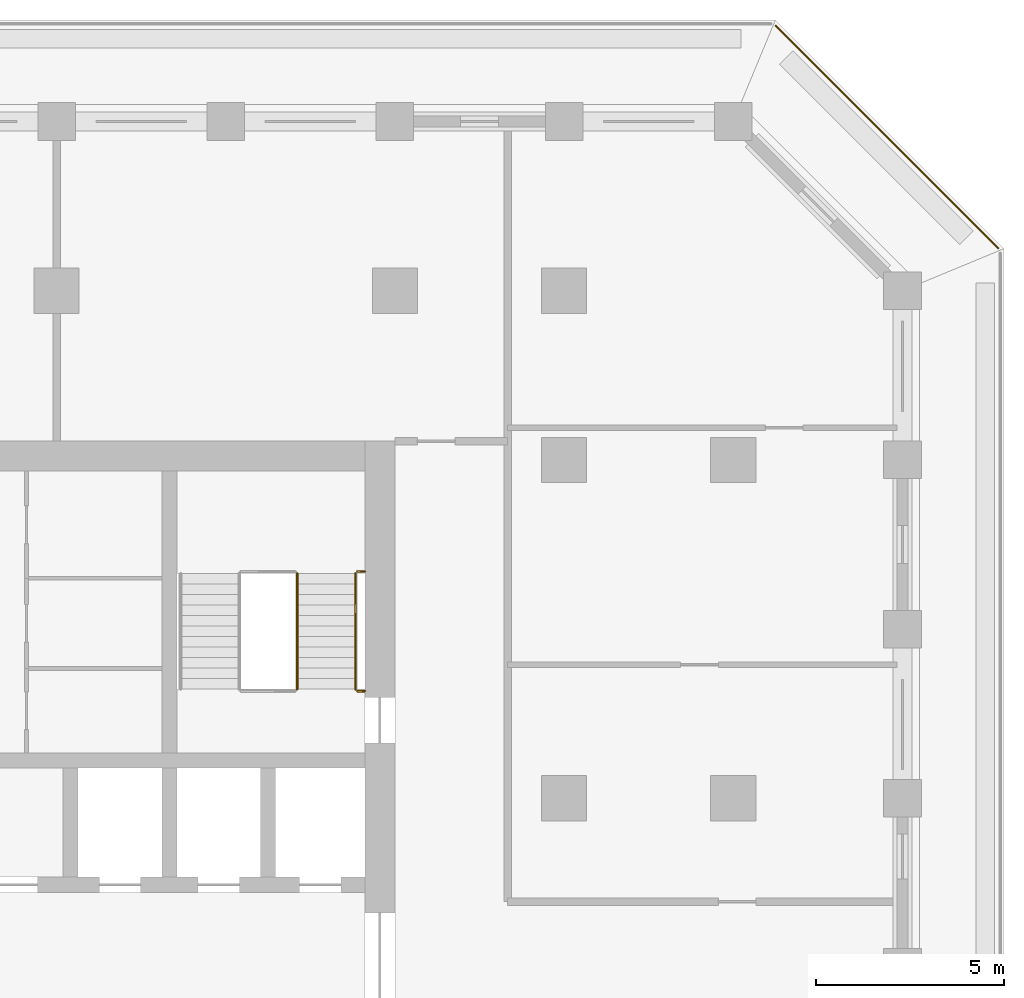
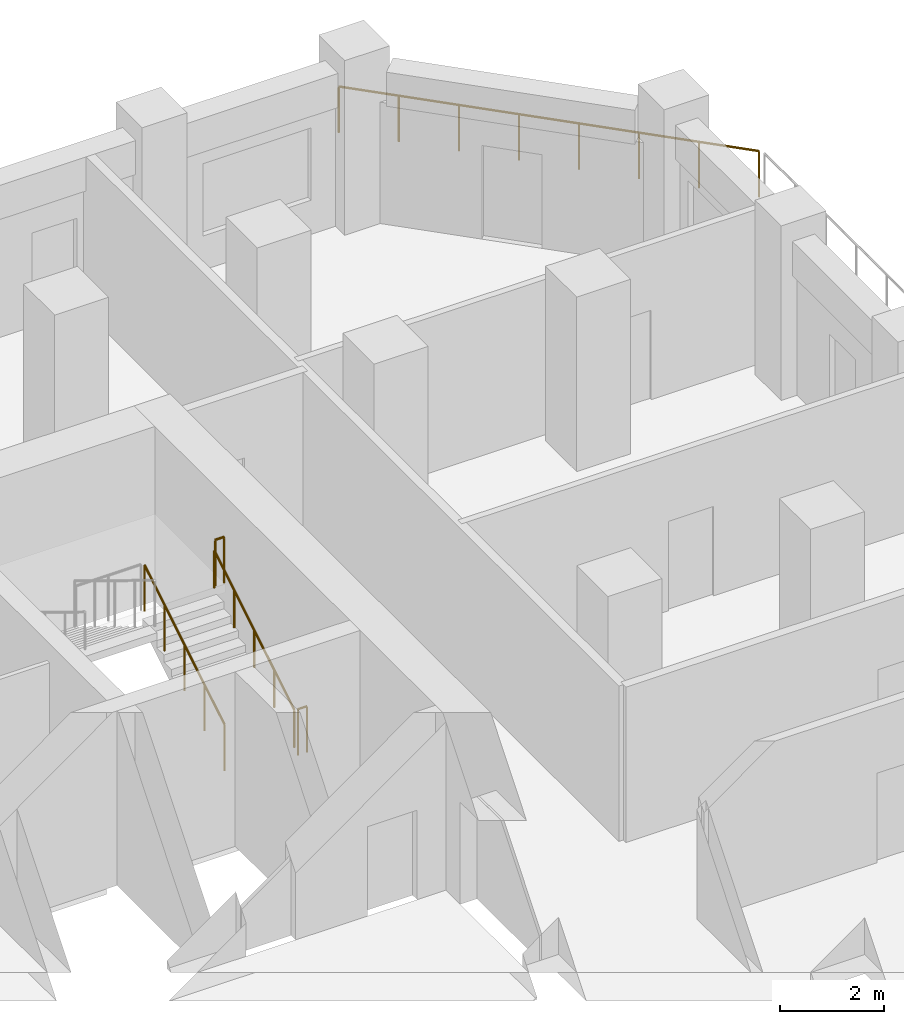
# One storey, part 15 of 16: 5 railings.
"""IFC4 building model written with IfcOpenShell, lengths in metres."""

from ifc_helpers import new_model, si_unit, direction, frame, origin, origin_2d, place, context, subcontext, project, spatial, circle, extrude, material, type_object, element, save


model = new_model("IFC4")

# Units and contexts
model_context = context("Model", 3, precision=1e-05, world=origin(), true_north=direction((0.0, 1.0)))
body_context = subcontext(model_context, "Body", "Model", "MODEL_VIEW")
ifc_project = project(units=[si_unit("LENGTHUNIT", "METRE"), si_unit("AREAUNIT", "SQUARE_METRE"), si_unit("VOLUMEUNIT", "CUBIC_METRE"), si_unit("PLANEANGLEUNIT", "RADIAN"), si_unit("MASSUNIT", "GRAM", prefix="KILO")], contexts=[model_context])

# Site, building, storey
site_placement = place(None, origin())
site = spatial("IfcSite", under=ifc_project, at=site_placement, CompositionType="ELEMENT")
building_placement = place(site_placement, origin())
building = spatial("IfcBuilding", under=site, at=building_placement, Name="Corbel Stack Research Tower", CompositionType="ELEMENT")
storey_placement = place(building_placement, frame((0.0, 0.0, 203.800048828125)))
storey = spatial("IfcBuildingStorey", under=building, at=storey_placement, Name="L46", CompositionType="ELEMENT", Elevation=203.800048828125)

# Railings
ifc_material_1 = material(Name="Steel S355", Category="steel")
railing_type_1 = type_object("IfcRailingType", Name="Stair guard 1100", PredefinedType="GUARDRAIL", material=ifc_material_1)
railing_1_placement = place(storey_placement, frame((15.39990234375, 11.89990234375, 0.1708984375)))
element("IfcRailing", 1, at=railing_1_placement, inside=storey, type_object=railing_type_1, Name="L46 ST-E2 stair guard 1", PredefinedType="GUARDRAIL", context=body_context, shape_type="SweptSolid", body=[
    extrude(circle(Radius=0.02392578125, at=origin_2d()), frame((0.0, 0.0, 1.076171875), z_axis=(0.0, 0.853666305674, 0.52082035152), x_axis=(-1.0, 0.0, 0.0)), (0.0, 0.0, 1.0), 3.608154296875),
    extrude(circle(Radius=0.02099609375, at=origin_2d()), origin(), (0.0, 0.0, 1.0), 1.052001953125),
    extrude(circle(Radius=0.02099609375, at=origin_2d()), frame((0.0, 0.77001953125, 0.4697265625)), (0.0, 0.0, 1.0), 1.052001953125),
    extrude(circle(Radius=0.02099609375, at=origin_2d()), frame((0.0, 1.5400390625, 0.939453125)), (0.0, 0.0, 1.0), 1.052001953125),
    extrude(circle(Radius=0.02099609375, at=origin_2d()), frame((0.0, 2.31005859375, 1.409423828125)), (0.0, 0.0, 1.0), 1.052001953125),
    extrude(circle(Radius=0.02099609375, at=origin_2d()), frame((0.0, 3.080078125, 1.879150390625)), (0.0, 0.0, 1.0), 1.052001953125),
])
for number, where, name in (
    (2, (17.199951171875, 15.030029296875, 2.050048828125), "L46 ST-E2 stair guard 3"),
    (3, (17.199951171875, 11.85009765625, 0.0), "L46 ST-E2 stair guard 6"),
):
    element("IfcRailing", number, at=place(storey_placement, frame(where)), inside=storey, type_object=railing_type_1, Name=name, PredefinedType="GUARDRAIL", context=body_context, shape_type="SweptSolid", body=[
        extrude(circle(Radius=0.02392578125, at=origin_2d()), frame((0.0, 0.0, 1.076171875), z_axis=(-1.0, 0.0, 0.0), x_axis=(0.0, -1.0, 0.0)), (0.0, 0.0, 1.0), 0.199951171875),
        extrude(circle(Radius=0.02099609375, at=origin_2d()), origin(), (0.0, 0.0, 1.0), 1.052001953125),
        extrude(circle(Radius=0.02099609375, at=origin_2d()), frame((-0.199951171875, 0.0, 0.0)), (0.0, 0.0, 1.0), 1.052001953125),
    ])
ifc_material_2 = material(Name="Steel S355", Category="steel")
railing_type_2 = type_object("IfcRailingType", Name="Stair handrail 900", PredefinedType="HANDRAIL", material=ifc_material_2)
railing_2_placement = place(storey_placement, frame((16.949951171875, 11.89990234375, 0.1708984375)))
element("IfcRailing", 4, at=railing_2_placement, inside=storey, type_object=railing_type_2, Name="L46 ST-E2 stair handrail 1", PredefinedType="HANDRAIL", context=body_context, shape_type="SweptSolid", body=[
    extrude(circle(Radius=0.02392578125, at=origin_2d()), frame((0.0, 0.0, 0.8759765625), z_axis=(0.0, 0.853666305674, 0.52082035152), x_axis=(-1.0, 0.0, 0.0)), (0.0, 0.0, 1.0), 3.608154296875),
    extrude(circle(Radius=0.02099609375, at=origin_2d()), origin(), (0.0, 0.0, 1.0), 0.851806640625),
    extrude(circle(Radius=0.02099609375, at=origin_2d()), frame((0.0, 0.77001953125, 0.4697265625)), (0.0, 0.0, 1.0), 0.851806640625),
    extrude(circle(Radius=0.02099609375, at=origin_2d()), frame((0.0, 1.5400390625, 0.939453125)), (0.0, 0.0, 1.0), 0.851806640625),
    extrude(circle(Radius=0.02099609375, at=origin_2d()), frame((0.0, 2.31005859375, 1.409423828125)), (0.0, 0.0, 1.0), 0.851806640625),
    extrude(circle(Radius=0.02099609375, at=origin_2d()), frame((0.0, 3.080078125, 1.879150390625)), (0.0, 0.0, 1.0), 0.851806640625),
])
ifc_material_3 = material(Name="Powder-coated steel guard", Category="steel")
railing_type_3 = type_object("IfcRailingType", Name="Steel and glass guard 1100", PredefinedType="GUARDRAIL", material=ifc_material_3)
railing_3_placement = place(storey_placement, frame((34.04931640625, 23.627685546875, 0.0)))
element("IfcRailing", 5, at=railing_3_placement, inside=storey, type_object=railing_type_3, Name="Loggia guard L46 NE", PredefinedType="GUARDRAIL", context=body_context, shape_type="SweptSolid", body=[
    extrude(circle(Radius=0.02392578125, at=origin_2d()), frame((0.0, 0.0, 1.076171875), z_axis=(-0.707106781187, 0.707106781187, 0.0), x_axis=(-0.707106781187, -0.707106781187, 0.0)), (0.0, 0.0, 1.0), 8.37451171875),
    extrude(circle(Radius=0.02099609375, at=origin_2d()), origin(), (0.0, 0.0, 1.0), 1.052001953125),
    extrude(circle(Radius=0.02099609375, at=origin_2d()), frame((-0.845947265625, 0.845947265625, 0.0)), (0.0, 0.0, 1.0), 1.052001953125),
    extrude(circle(Radius=0.02099609375, at=origin_2d()), frame((-1.69189453125, 1.69189453125, 0.0)), (0.0, 0.0, 1.0), 1.052001953125),
    extrude(circle(Radius=0.02099609375, at=origin_2d()), frame((-2.537841796875, 2.537841796875, 0.0)), (0.0, 0.0, 1.0), 1.052001953125),
    extrude(circle(Radius=0.02099609375, at=origin_2d()), frame((-3.3837890625, 3.3837890625, 0.0)), (0.0, 0.0, 1.0), 1.052001953125),
    extrude(circle(Radius=0.02099609375, at=origin_2d()), frame((-4.229736328125, 4.229736328125, 0.0)), (0.0, 0.0, 1.0), 1.052001953125),
    extrude(circle(Radius=0.02099609375, at=origin_2d()), frame((-5.07568359375, 5.07568359375, 0.0)), (0.0, 0.0, 1.0), 1.052001953125),
    extrude(circle(Radius=0.02099609375, at=origin_2d()), frame((-5.921630859375, 5.921630859375, 0.0)), (0.0, 0.0, 1.0), 1.052001953125),
])

save(model, "model.ifc")
